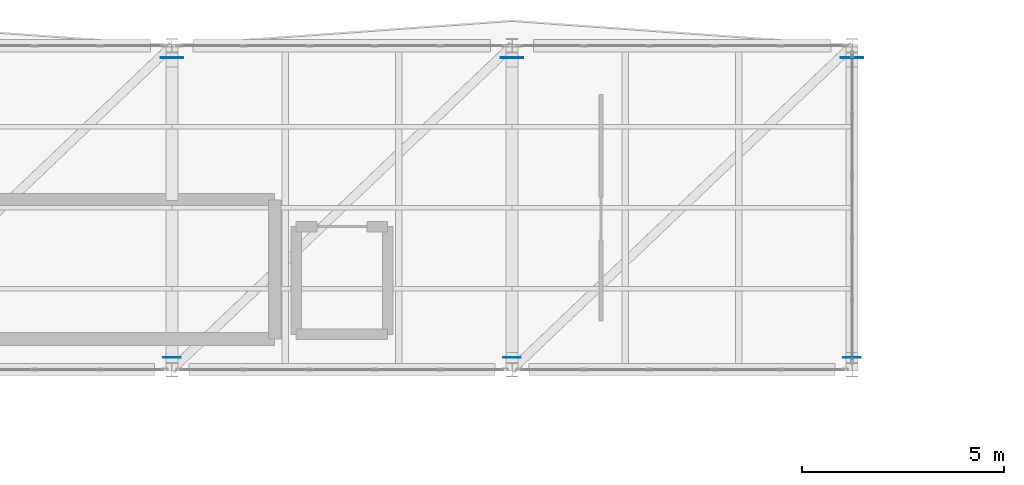
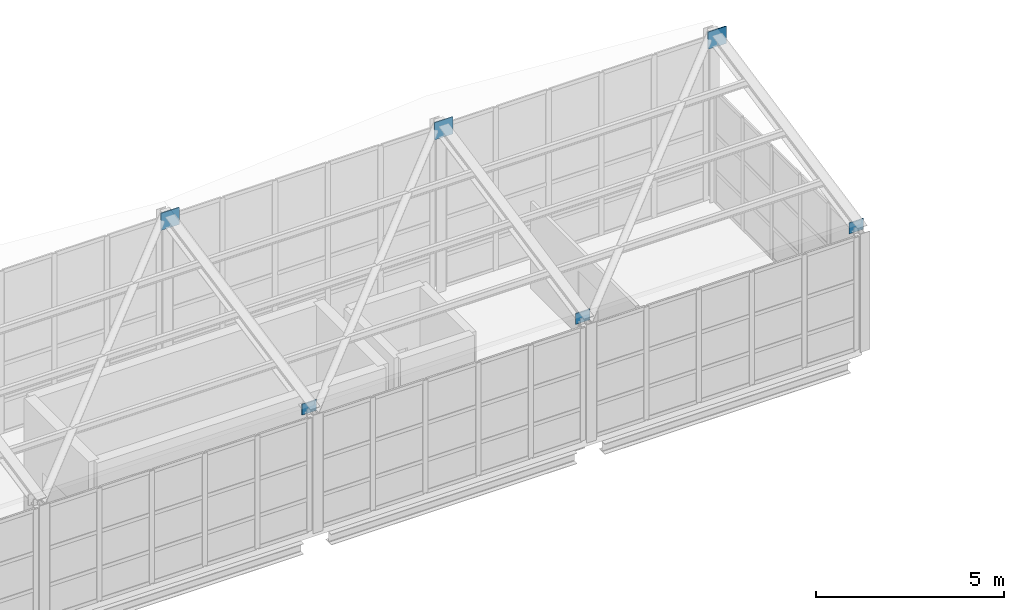
# One storey, part 147 of 177: 6 plates.
"""IFC4 building model written with IfcOpenShell, lengths in metres."""

from ifc_helpers import new_model, si_unit, direction, frame, origin, origin_2d, place, context, subcontext, project, spatial, rectangle, extrude, material, layer, layer_set, type_object, element, save


model = new_model("IFC4")

# Units and contexts
model_context = context("Model", 3, precision=1e-05, world=origin(), true_north=direction((0.0, 1.0)))
body_context = subcontext(model_context, "Body", "Model", "MODEL_VIEW")
ifc_project = project(units=[si_unit("LENGTHUNIT", "METRE"), si_unit("AREAUNIT", "SQUARE_METRE"), si_unit("VOLUMEUNIT", "CUBIC_METRE"), si_unit("PLANEANGLEUNIT", "RADIAN"), si_unit("MASSUNIT", "GRAM", prefix="KILO"), si_unit("THERMODYNAMICTEMPERATUREUNIT", "KELVIN"), si_unit("POWERUNIT", "WATT")], contexts=[model_context])

# Site, building, storey
site_placement = place(None, origin())
site = spatial("IfcSite", under=ifc_project, at=site_placement, CompositionType="ELEMENT")
building_placement = place(site_placement, origin())
building = spatial("IfcBuilding", under=site, at=building_placement, Name="Mavoryth Pier Ferry Terminal", CompositionType="ELEMENT")
storey_placement = place(building_placement, frame((0.0, 0.0, 5.43994140625)))
storey = spatial("IfcBuildingStorey", under=building, at=storey_placement, Name="L01", CompositionType="ELEMENT", Elevation=5.43994140625)

# Plates
ifc_material = material(Name="Steel S355J2", Category="steel")
ifc_layer_1 = layer(ifc_material, 0.02392578125, Name="Steel S355J2", Category="steel")
ifc_layer_set_1 = layer_set([ifc_layer_1], Name="Steel S355J2 - Plate-BaseSeat-560x560x24")
plate_type_1 = type_object("IfcPlateType", Name="Plate-BaseSeat-560x560x24", PredefinedType="SHEET", material=ifc_layer_set_1)
for number, where, z_axis, x_axis, name in (
    (1, (134.39990234375, 113.699951171875, 5.118896484375), (0.0, 0.0, 1.0), (1.0, 0.0, 0.0), "Steel Node Plate PL-L01-0068"),
    (2, (142.800048828125, 113.699951171875, 5.118896484375), (0.0, 0.0, 1.0), (1.0, 0.0, 0.0), "Steel Node Plate PL-L01-0070"),
    (3, (151.199951171875, 113.699951171875, 5.118896484375), (0.0, 0.0, 1.0), (1.0, 0.0, 0.0), "Steel Node Plate PL-L01-0072"),
):
    element("IfcPlate", number, at=place(storey_placement, frame(where, z_axis=z_axis, x_axis=x_axis)), inside=storey, type_object=plate_type_1, Name=name, PredefinedType="SHEET", context=body_context, shape_type="SweptSolid", body=[
        extrude(rectangle(XDim=0.56005859375, YDim=0.02392578125, at=origin_2d()), origin(), (0.0, 0.0, 1.0), 0.56005859375),
    ])
ifc_layer_2 = layer(ifc_material, 0.01611328125, Name="Steel S355J2", Category="steel")
ifc_layer_set_2 = layer_set([ifc_layer_2], Name="Steel S355J2 - Plate-Gusset-440x360x16")
plate_type_2 = type_object("IfcPlateType", Name="Plate-Gusset-440x360x16", PredefinedType="SHEET", material=ifc_layer_set_2)
for number, where, z_axis, x_axis, name in (
    (4, (134.39990234375, 106.300048828125, 3.59130859375), (0.0, 0.0, 1.0), (1.0, 0.0, 0.0), "Steel Node Plate PL-L01-0067"),
    (5, (142.800048828125, 106.300048828125, 3.59130859375), (0.0, 0.0, 1.0), (1.0, 0.0, 0.0), "Steel Node Plate PL-L01-0069"),
    (6, (151.199951171875, 106.300048828125, 3.59130859375), (0.0, 0.0, 1.0), (1.0, 0.0, 0.0), "Steel Node Plate PL-L01-0071"),
):
    element("IfcPlate", number, at=place(storey_placement, frame(where, z_axis=z_axis, x_axis=x_axis)), inside=storey, type_object=plate_type_2, Name=name, PredefinedType="SHEET", context=body_context, shape_type="SweptSolid", body=[
        extrude(rectangle(XDim=0.43994140625, YDim=0.01611328125, at=origin_2d()), origin(), (0.0, 0.0, 1.0), 0.360107421875),
    ])

save(model, "model.ifc")
